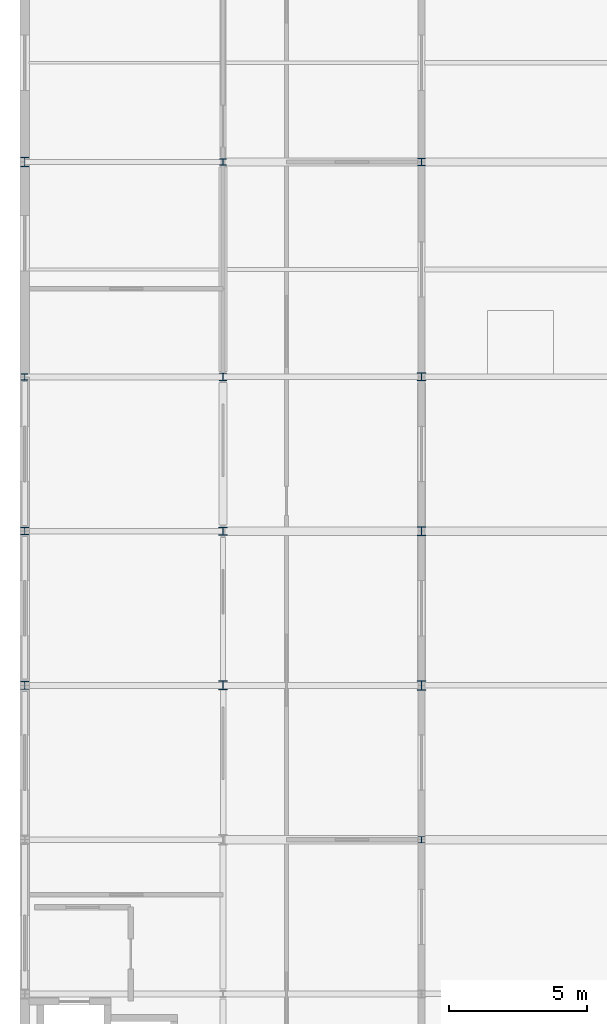
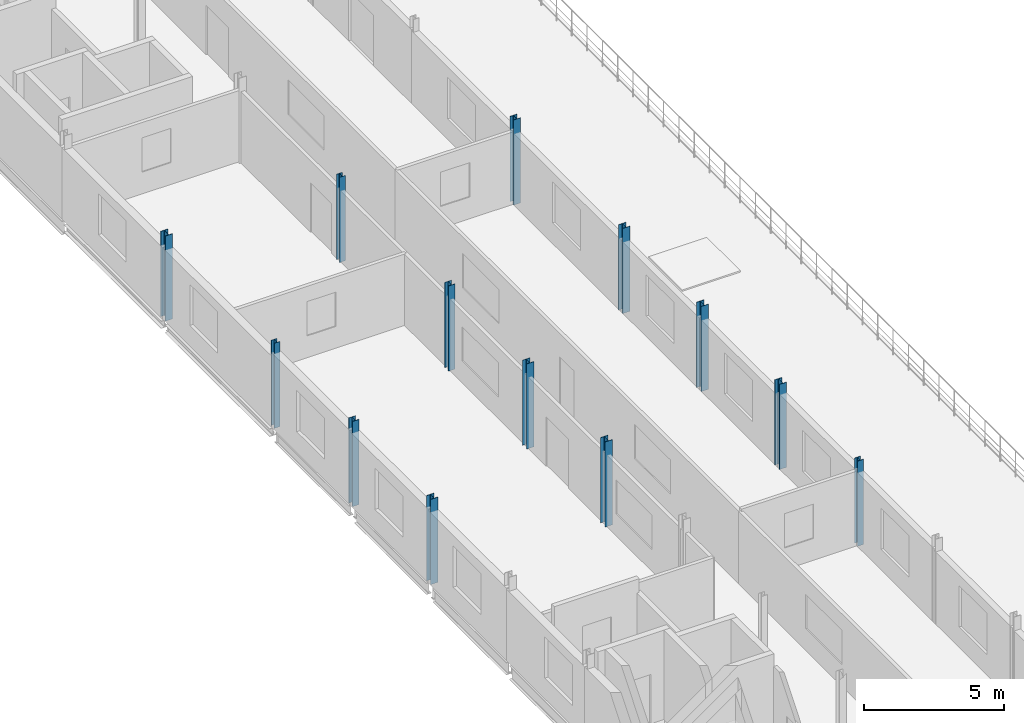
# One storey, part 2 of 14: 13 columns.
"""IFC4 building model written with IfcOpenShell, lengths in metres."""

import ifcopenshell
import ifcopenshell.guid

model = None  # the IFC model being written
_history = None  # IfcOwnerHistory: only IFC2X3 demands one
_inside = {}  # id of a spatial element -> (the spatial element, [elements in it])
_under = {}  # id of a project, library or spatial element -> (it, [spatial elements below it])
_declared = {}  # id of a project -> (the project, [libraries it declares])
_typed = {}  # id of a type object -> (the type object, [elements of that type])
_made_of = {}  # id of a material, layer set ... -> (it, [elements and type objects made of it])


def new_model(schema):
    """Start an empty IFC model of exactly this schema.

    Asked for "IFC4X3", IfcOpenShell would pick the latest addendum, in which some entities
    have other attributes; the version numbers below select the first issue.
    IFC2X3 requires an IfcOwnerHistory on every rooted entity: one is made here for all.
    """
    global model, _history
    if schema == "IFC4X3":
        model = ifcopenshell.file(schema_version=(4, 3, 0, 0))
    else:
        model = ifcopenshell.file(schema=schema)
    _inside.clear()
    _under.clear()
    _declared.clear()
    _typed.clear()
    _made_of.clear()
    _history = None
    if model.schema == "IFC2X3":
        org = make("IfcOrganization", Name="unknown")
        user = make(
            "IfcPersonAndOrganization",
            ThePerson=make("IfcPerson", FamilyName="unknown"),
            TheOrganization=org,
        )
        app = make(
            "IfcApplication",
            ApplicationDeveloper=org,
            Version="unknown",
            ApplicationFullName="unknown",
            ApplicationIdentifier="unknown",
        )
        _history = make(
            "IfcOwnerHistory",
            OwningUser=user,
            OwningApplication=app,
            ChangeAction="ADDED",
            CreationDate=0,
        )
    return model


def make(cls, **values):
    """One entity of the class cls with the attributes given. An attribute that is None is left unset."""
    return model.create_entity(
        cls, **{name: value for name, value in values.items() if value is not None}
    )


def rooted(cls, **values):
    """An entity with a GlobalId (a new one), such as an element, a storey or a relation."""
    return make(cls, GlobalId=ifcopenshell.guid.new(), OwnerHistory=_history, **values)


def si_unit(unit_type, name, prefix=None):
    """IfcSIUnit, for example si_unit("LENGTHUNIT", "METRE", prefix="MILLI")."""
    return make("IfcSIUnit", UnitType=unit_type, Prefix=prefix, Name=name)


def assignment(units):
    """IfcUnitAssignment: the units of a project."""
    return None if units is None else make("IfcUnitAssignment", Units=units)


def point(xyz):
    """IfcCartesianPoint."""
    return None if xyz is None else make("IfcCartesianPoint", Coordinates=xyz)


def direction(xyz):
    """IfcDirection."""
    return None if xyz is None else make("IfcDirection", DirectionRatios=xyz)


def frame(location, z_axis=None, x_axis=None):
    """IfcAxis2Placement3D, a coordinate frame: its origin and axes. An axis left out is left unset."""
    return make(
        "IfcAxis2Placement3D",
        Location=point(location),
        Axis=direction(z_axis),
        RefDirection=direction(x_axis),
    )


def frame_2d(location, x_axis=None):
    """IfcAxis2Placement2D, a coordinate frame in the plane: its origin and x axis."""
    return make(
        "IfcAxis2Placement2D", Location=point(location), RefDirection=direction(x_axis)
    )


def origin():
    """The frame at (0, 0, 0) with its axes left unset."""
    return frame((0.0, 0.0, 0.0))


def origin_2d():
    """The frame at (0, 0) in the plane with its x axis left unset."""
    return frame_2d((0.0, 0.0))


def place(relative_to, where):
    """IfcLocalPlacement: puts the frame where relative to a parent placement (None: the world)."""
    return make(
        "IfcLocalPlacement", PlacementRelTo=relative_to, RelativePlacement=where
    )


def context(
    kind, dimensions, precision=None, world=None, true_north=None, identifier=None
):
    """IfcGeometricRepresentationContext, for example the 3D "Model" context."""
    return make(
        "IfcGeometricRepresentationContext",
        ContextIdentifier=identifier,
        ContextType=kind,
        CoordinateSpaceDimension=dimensions,
        Precision=precision,
        WorldCoordinateSystem=world,
        TrueNorth=true_north,
    )


def subcontext(parent, identifier, kind, view, scale=None):
    """IfcGeometricRepresentationSubContext, for example "Body" below "Model"."""
    return make(
        "IfcGeometricRepresentationSubContext",
        ContextIdentifier=identifier,
        ContextType=kind,
        ParentContext=parent,
        TargetScale=scale,
        TargetView=view,
    )


def project(units=None, contexts=None):
    """IfcProject with its units and contexts."""
    return rooted(
        "IfcProject",
        Name="project",
        RepresentationContexts=contexts,
        UnitsInContext=assignment(units),
    )


def spatial(cls, under=None, at=None, **own):
    """A site, building, storey or space (cls), placed at a placement, below another one or the project."""
    s = rooted(cls, ObjectPlacement=at, **own)
    if under is not None:
        _under.setdefault(under.id(), (under, []))[1].append(s)
    return s


def profile(cls, at=None, kind="AREA", **sizes):
    """A parametric profile (cls). Its sizes go by their IFC names, for example OverallWidth=200.0."""
    return make(cls, ProfileType=kind, Position=at, **sizes)


def i_section(**sizes):
    """IfcIShapeProfileDef."""
    return profile("IfcIShapeProfileDef", **sizes)


def extrude(swept, where, along, depth):
    """IfcExtrudedAreaSolid: the profile swept, set in the frame where, extruded along a direction by depth."""
    return make(
        "IfcExtrudedAreaSolid",
        SweptArea=swept,
        Position=where,
        ExtrudedDirection=direction(along),
        Depth=depth,
    )


def shape(context_of_items, identifier, shape_type, items):
    """IfcShapeRepresentation: the items that make up one representation, for example the "Body"."""
    return make(
        "IfcShapeRepresentation",
        ContextOfItems=context_of_items,
        RepresentationIdentifier=identifier,
        RepresentationType=shape_type,
        Items=items,
    )


def material(Name=None, Category=None):
    """IfcMaterial."""
    return make("IfcMaterial", Name=Name, Category=Category)


def material_profile(
    of_material, cross_section, Name=None, Category=None, Priority=None
):
    """IfcMaterialProfile: a cross section and its material."""
    return make(
        "IfcMaterialProfile",
        Name=Name,
        Material=of_material,
        Profile=cross_section,
        Priority=Priority,
        Category=Category,
    )


def profile_set(profiles, Name=None, composite=None):
    """IfcMaterialProfileSet."""
    return make(
        "IfcMaterialProfileSet",
        Name=Name,
        MaterialProfiles=profiles,
        CompositeProfile=composite,
    )


def made_of(thing, what):
    """Note that an element or type object is made of a material, layer set ...; save() writes the relation."""
    if what is not None:
        _made_of.setdefault(what.id(), (what, []))[1].append(thing)
    return thing


def type_object(cls, material=None, **own):
    """A type object (cls), such as IfcWallType, which elements share."""
    return made_of(rooted(cls, **own), material)


def element(
    cls,
    number,
    at=None,
    inside=None,
    cuts=None,
    type_object=None,
    material=None,
    context=None,
    identifier="Body",
    shape_type=None,
    held_by="IfcProductDefinitionShape",
    body=None,
    shapes=None,
    **own,
):
    """One element of the class cls, such as IfcWall. Its Tag is "e" and its number.

    at: its placement. inside: the storey or other place that contains it. cuts: it is an
    opening in that element (IfcRelVoidsElement). A single representation is given by context,
    identifier, shape_type and body (its items); several are given by shapes. held_by: the class
    of the entity that holds the representations. save() writes the other relations.
    """
    e = rooted(cls, Tag="e%d" % number, ObjectPlacement=at, **own)
    if body is not None:
        shapes = [shape(context, identifier, shape_type, body)]
    if shapes is not None:
        e.Representation = make(held_by, Representations=shapes)
    if inside is not None:
        _inside.setdefault(inside.id(), (inside, []))[1].append(e)
    if cuts is not None:
        rooted(
            "IfcRelVoidsElement", RelatingBuildingElement=cuts, RelatedOpeningElement=e
        )
    if type_object is not None:
        _typed.setdefault(type_object.id(), (type_object, []))[1].append(e)
    return made_of(e, material)


def aggregate(whole, parts):
    """IfcRelAggregates: a whole, such as a stair, and the parts it consists of."""
    return rooted("IfcRelAggregates", RelatingObject=whole, RelatedObjects=parts)


def save(model, path):
    """Write the relations noted so far, then the file.

    IfcRelAggregates (storeys below a building ...), IfcRelContainedInSpatialStructure (elements
    in a storey), IfcRelDefinesByType, IfcRelAssociatesMaterial and IfcRelDeclares: one each for
    every whole, place, type object, material and project.
    """
    for whole, parts in _under.values():
        aggregate(whole, parts)
    for where, things in _inside.values():
        rooted(
            "IfcRelContainedInSpatialStructure",
            RelatedElements=things,
            RelatingStructure=where,
        )
    for kind, things in _typed.values():
        rooted("IfcRelDefinesByType", RelatedObjects=things, RelatingType=kind)
    for what, things in _made_of.values():
        rooted("IfcRelAssociatesMaterial", RelatedObjects=things, RelatingMaterial=what)
    for by, libraries in _declared.values():
        rooted("IfcRelDeclares", RelatingContext=by, RelatedDefinitions=libraries)
    model.write(path)


model = new_model("IFC4")

# Units and contexts
model_context = context("Model", 3, precision=1e-05, world=origin(), true_north=direction((0.0, 1.0)))
body_context = subcontext(model_context, "Body", "Model", "MODEL_VIEW")
ifc_project = project(units=[si_unit("LENGTHUNIT", "METRE"), si_unit("AREAUNIT", "SQUARE_METRE"), si_unit("VOLUMEUNIT", "CUBIC_METRE"), si_unit("PLANEANGLEUNIT", "RADIAN"), si_unit("MASSUNIT", "GRAM", prefix="KILO")], contexts=[model_context])

# Site, building, storey
site_placement = place(None, origin())
site = spatial("IfcSite", under=ifc_project, at=site_placement, CompositionType="ELEMENT")
building_placement = place(site_placement, origin())
building = spatial("IfcBuilding", under=site, at=building_placement, Name="Vinh Khe Railworks Police Headquarters", CompositionType="ELEMENT")
storey_placement = place(building_placement, frame((0.0, 0.0, 32.699951171875)))
storey = spatial("IfcBuildingStorey", under=building, at=storey_placement, Name="L08", CompositionType="ELEMENT", Elevation=32.699951171875)

# Columns
ifc_material = material(Name="Steel S355JR", Category="steel")
ifc_material_profile_1 = material_profile(ifc_material, i_section(OverallWidth=0.239990234375, OverallDepth=0.22998046875, WebThickness=0.007568359375, FlangeThickness=0.011962890625, FilletRadius=0.02099609375, at=origin_2d()), Name="HEA 240")
ifc_profile_set_1 = profile_set([ifc_material_profile_1], Name="Steel S355JR")
column_type_1 = type_object("IfcColumnType", Name="Steel Column HEA 240", PredefinedType="COLUMN", material=ifc_profile_set_1)
for number, where, z_axis, x_axis, name in (
    (1, (0.60009765625, 58.800048828125, 0.0), (0.0, 0.0, 1.0), (1.0, 0.0, 0.0), "Column COL-L08-SC-20-0086"),
    (2, (7.800048828125, 66.60009765625, 0.0), (0.0, 0.0, 1.0), (1.0, 0.0, 0.0), "Column COL-L08-SC-20-0263"),
    (3, (15.0, 42.0, 0.0), (0.0, 0.0, 1.0), (1.0, 0.0, 0.0), "Column COL-L08-SC-20-0390"),
):
    element("IfcColumn", number, at=place(storey_placement, frame(where, z_axis=z_axis, x_axis=x_axis)), inside=storey, type_object=column_type_1, Name=name, PredefinedType="COLUMN", context=body_context, shape_type="SweptSolid", body=[
        extrude(i_section(OverallWidth=0.239990234375, OverallDepth=0.22998046875, WebThickness=0.007568359375, FlangeThickness=0.011962890625, FilletRadius=0.02099609375, at=origin_2d()), origin(), (0.0, 0.0, 1.0), 3.719970703125),
    ])
ifc_material_profile_2 = material_profile(ifc_material, i_section(OverallWidth=0.280029296875, OverallDepth=0.27001953125, WebThickness=0.008056640625, FlangeThickness=0.012939453125, FilletRadius=0.02392578125, at=origin_2d()), Name="HEA 280")
ifc_profile_set_2 = profile_set([ifc_material_profile_2], Name="Steel S355JR")
column_type_2 = type_object("IfcColumnType", Name="Steel Column HEA 280", PredefinedType="COLUMN", material=ifc_profile_set_2)
for number, where, z_axis, x_axis, name in (
    (4, (0.60009765625, 53.199951171875, 0.0), (0.0, 0.0, 1.0), (1.0, 0.0, 0.0), "Column COL-L08-SC-19-0076"),
    (5, (7.800048828125, 58.800048828125, 0.0), (0.0, 0.0, 1.0), (1.0, 0.0, 0.0), "Column COL-L08-SC-19-0253"),
    (6, (15.0, 66.60009765625, 0.0), (0.0, 0.0, 1.0), (1.0, 0.0, 0.0), "Column COL-L08-SC-19-0430"),
):
    element("IfcColumn", number, at=place(storey_placement, frame(where, z_axis=z_axis, x_axis=x_axis)), inside=storey, type_object=column_type_2, Name=name, PredefinedType="COLUMN", context=body_context, shape_type="SweptSolid", body=[
        extrude(i_section(OverallWidth=0.280029296875, OverallDepth=0.27001953125, WebThickness=0.008056640625, FlangeThickness=0.012939453125, FilletRadius=0.02392578125, at=origin_2d()), origin(), (0.0, 0.0, 1.0), 3.719970703125),
    ])
ifc_material_profile_3 = material_profile(ifc_material, i_section(OverallWidth=0.300048828125, OverallDepth=0.2900390625, WebThickness=0.008544921875, FlangeThickness=0.013916015625, FilletRadius=0.027099609375, at=origin_2d()), Name="HEA 300")
ifc_profile_set_3 = profile_set([ifc_material_profile_3], Name="Steel S355JR")
column_type_3 = type_object("IfcColumnType", Name="Steel Column HEA 300", PredefinedType="COLUMN", material=ifc_profile_set_3)
for number, where, z_axis, x_axis, name in (
    (7, (0.60009765625, 47.60009765625, 0.0), (0.0, 0.0, 1.0), (1.0, 0.0, 0.0), "Column COL-L08-SC-18-0066"),
    (8, (7.800048828125, 53.199951171875, 0.0), (0.0, 0.0, 1.0), (1.0, 0.0, 0.0), "Column COL-L08-SC-18-0243"),
    (9, (15.0, 58.800048828125, 0.0), (0.0, 0.0, 1.0), (1.0, 0.0, 0.0), "Column COL-L08-SC-18-0420"),
):
    element("IfcColumn", number, at=place(storey_placement, frame(where, z_axis=z_axis, x_axis=x_axis)), inside=storey, type_object=column_type_3, Name=name, PredefinedType="COLUMN", context=body_context, shape_type="SweptSolid", body=[
        extrude(i_section(OverallWidth=0.300048828125, OverallDepth=0.2900390625, WebThickness=0.008544921875, FlangeThickness=0.013916015625, FilletRadius=0.027099609375, at=origin_2d()), origin(), (0.0, 0.0, 1.0), 3.719970703125),
    ])
ifc_material_profile_4 = material_profile(ifc_material, i_section(OverallWidth=0.300048828125, OverallDepth=0.330078125, WebThickness=0.009521484375, FlangeThickness=0.0166015625, FilletRadius=0.027099609375, at=origin_2d()), Name="HEA 340")
ifc_profile_set_4 = profile_set([ifc_material_profile_4], Name="Steel S355JR")
column_type_4 = type_object("IfcColumnType", Name="Steel Column HEA 340", PredefinedType="COLUMN", material=ifc_profile_set_4)
for number, where, z_axis, x_axis, name in (
    (10, (7.800048828125, 47.60009765625, 0.0), (0.0, 0.0, 1.0), (1.0, 0.0, 0.0), "Column COL-L08-SC-17-0233"),
    (11, (15.0, 53.199951171875, 0.0), (0.0, 0.0, 1.0), (1.0, 0.0, 0.0), "Column COL-L08-SC-17-0410"),
):
    element("IfcColumn", number, at=place(storey_placement, frame(where, z_axis=z_axis, x_axis=x_axis)), inside=storey, type_object=column_type_4, Name=name, PredefinedType="COLUMN", context=body_context, shape_type="SweptSolid", body=[
        extrude(i_section(OverallWidth=0.300048828125, OverallDepth=0.330078125, WebThickness=0.009521484375, FlangeThickness=0.0166015625, FilletRadius=0.027099609375, at=origin_2d()), origin(), (0.0, 0.0, 1.0), 3.719970703125),
    ])
ifc_material_profile_5 = material_profile(ifc_material, i_section(OverallWidth=0.300048828125, OverallDepth=0.35009765625, WebThickness=0.010009765625, FlangeThickness=0.017578125, FilletRadius=0.027099609375, at=origin_2d()), Name="HEA 360")
ifc_profile_set_5 = profile_set([ifc_material_profile_5], Name="Steel S355JR")
column_type_5 = type_object("IfcColumnType", Name="Steel Column HEA 360", PredefinedType="COLUMN", material=ifc_profile_set_5)
for number, where, z_axis, x_axis, name in (
    (12, (0.60009765625, 66.60009765625, 0.0), (0.0, 0.0, 1.0), (1.0, 0.0, 0.0), "Column COL-L08-SC-16-0096"),
    (13, (15.0, 47.60009765625, 0.0), (0.0, 0.0, 1.0), (1.0, 0.0, 0.0), "Column COL-L08-SC-16-0400"),
):
    element("IfcColumn", number, at=place(storey_placement, frame(where, z_axis=z_axis, x_axis=x_axis)), inside=storey, type_object=column_type_5, Name=name, PredefinedType="COLUMN", context=body_context, shape_type="SweptSolid", body=[
        extrude(i_section(OverallWidth=0.300048828125, OverallDepth=0.35009765625, WebThickness=0.010009765625, FlangeThickness=0.017578125, FilletRadius=0.027099609375, at=origin_2d()), origin(), (0.0, 0.0, 1.0), 3.719970703125),
    ])

save(model, "model.ifc")
